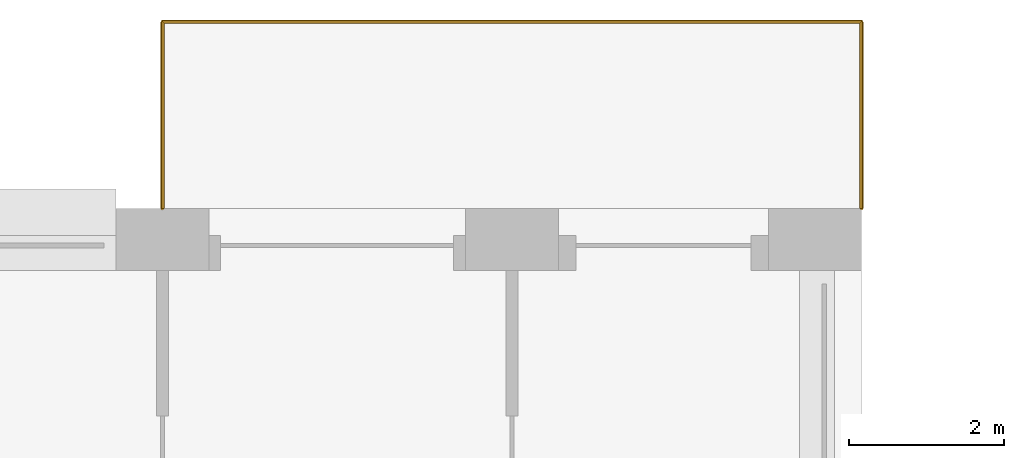
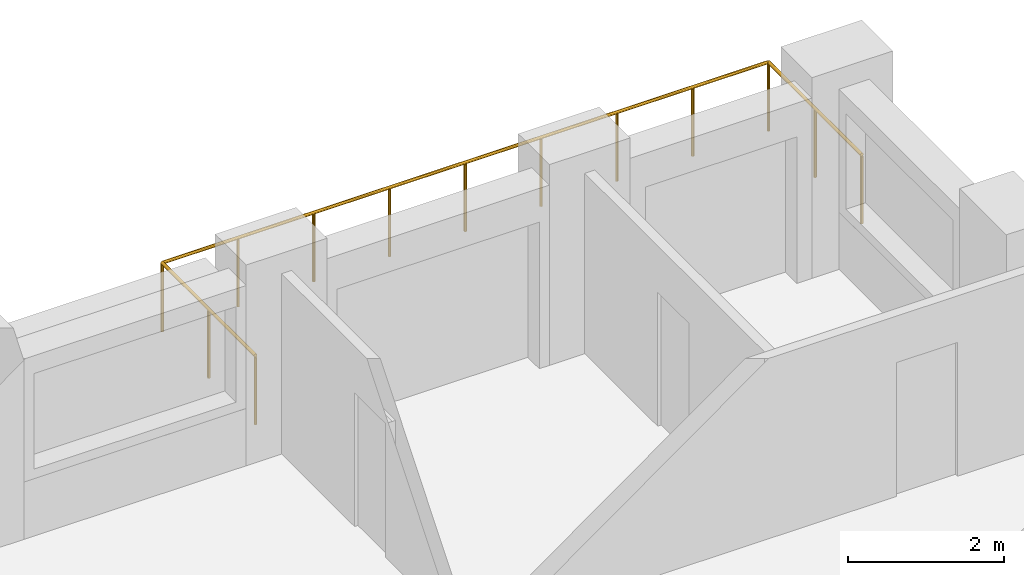
# One storey, part 20 of 20: 1 railing.
"""IFC4 building model written with IfcOpenShell, lengths in metres."""

from ifc_helpers import new_model, si_unit, direction, frame, origin, origin_2d, place, context, subcontext, project, spatial, circle, extrude, material, type_object, element, save


model = new_model("IFC4")

# Units and contexts
model_context = context("Model", 3, precision=1e-05, world=origin(), true_north=direction((0.0, 1.0)))
body_context = subcontext(model_context, "Body", "Model", "MODEL_VIEW")
ifc_project = project(units=[si_unit("LENGTHUNIT", "METRE"), si_unit("AREAUNIT", "SQUARE_METRE"), si_unit("VOLUMEUNIT", "CUBIC_METRE"), si_unit("PLANEANGLEUNIT", "RADIAN"), si_unit("MASSUNIT", "GRAM", prefix="KILO")], contexts=[model_context])

# Site, building, storey
site_placement = place(None, origin())
site = spatial("IfcSite", under=ifc_project, at=site_placement, CompositionType="ELEMENT")
building_placement = place(site_placement, origin())
building = spatial("IfcBuilding", under=site, at=building_placement, Name="Brigalow Station Residences", CompositionType="ELEMENT")
storey_placement = place(building_placement, frame((0.0, 0.0, 44.699951171875)))
storey = spatial("IfcBuildingStorey", under=building, at=storey_placement, Name="L12", CompositionType="ELEMENT", Elevation=44.699951171875)

# Railing
ifc_material = material(Name="Stainless steel balustrade with laminated glass infill", Category="steel")
railing_type = type_object("IfcRailingType", Name="BALCONY GUARD 1100", PredefinedType="GUARDRAIL", material=ifc_material)
railing_placement = place(storey_placement, frame((72.0, 48.5, -0.0400390625)))
element("IfcRailing", 1, at=railing_placement, inside=storey, type_object=railing_type, Name="L12/balcony-guard/2", PredefinedType="GUARDRAIL", context=body_context, shape_type="SweptSolid", body=[
    extrude(circle(Radius=0.02392578125, at=origin_2d()), frame((0.0, 0.0, 1.076171875), z_axis=(0.0, 1.0, 0.0), x_axis=(-1.0, 0.0, 0.0)), (0.0, 0.0, 1.0), 2.39990234375),
    extrude(circle(Radius=0.02392578125, at=origin_2d()), frame((0.0, 2.39990234375, 1.076171875), z_axis=(-1.0, 0.0, 0.0), x_axis=(0.0, -1.0, 0.0)), (0.0, 0.0, 1.0), 9.0),
    extrude(circle(Radius=0.02392578125, at=origin_2d()), frame((-9.0, 2.39990234375, 1.076171875), z_axis=(0.0, -1.0, 0.0), x_axis=(1.0, 0.0, 0.0)), (0.0, 0.0, 1.0), 2.39990234375),
    extrude(circle(Radius=0.02099609375, at=origin_2d()), origin(), (0.0, 0.0, 1.0), 1.052001953125),
    extrude(circle(Radius=0.02099609375, at=origin_2d()), frame((0.0, 1.199951171875, 0.0)), (0.0, 0.0, 1.0), 1.052001953125),
    extrude(circle(Radius=0.02099609375, at=origin_2d()), frame((0.0, 2.39990234375, 0.0)), (0.0, 0.0, 1.0), 1.052001953125),
    extrude(circle(Radius=0.02099609375, at=origin_2d()), frame((-1.125, 2.39990234375, 0.0)), (0.0, 0.0, 1.0), 1.052001953125),
    extrude(circle(Radius=0.02099609375, at=origin_2d()), frame((-2.25, 2.39990234375, 0.0)), (0.0, 0.0, 1.0), 1.052001953125),
    extrude(circle(Radius=0.02099609375, at=origin_2d()), frame((-3.375, 2.39990234375, 0.0)), (0.0, 0.0, 1.0), 1.052001953125),
    extrude(circle(Radius=0.02099609375, at=origin_2d()), frame((-4.5, 2.39990234375, 0.0)), (0.0, 0.0, 1.0), 1.052001953125),
    extrude(circle(Radius=0.02099609375, at=origin_2d()), frame((-5.625, 2.39990234375, 0.0)), (0.0, 0.0, 1.0), 1.052001953125),
    extrude(circle(Radius=0.02099609375, at=origin_2d()), frame((-6.75, 2.39990234375, 0.0)), (0.0, 0.0, 1.0), 1.052001953125),
    extrude(circle(Radius=0.02099609375, at=origin_2d()), frame((-7.875, 2.39990234375, 0.0)), (0.0, 0.0, 1.0), 1.052001953125),
    extrude(circle(Radius=0.02099609375, at=origin_2d()), frame((-9.0, 2.39990234375, 0.0)), (0.0, 0.0, 1.0), 1.052001953125),
    extrude(circle(Radius=0.02099609375, at=origin_2d()), frame((-9.0, 1.199951171875, 0.0)), (0.0, 0.0, 1.0), 1.052001953125),
    extrude(circle(Radius=0.02099609375, at=origin_2d()), frame((-9.0, 0.0, 0.0)), (0.0, 0.0, 1.0), 1.052001953125),
])

save(model, "model.ifc")
